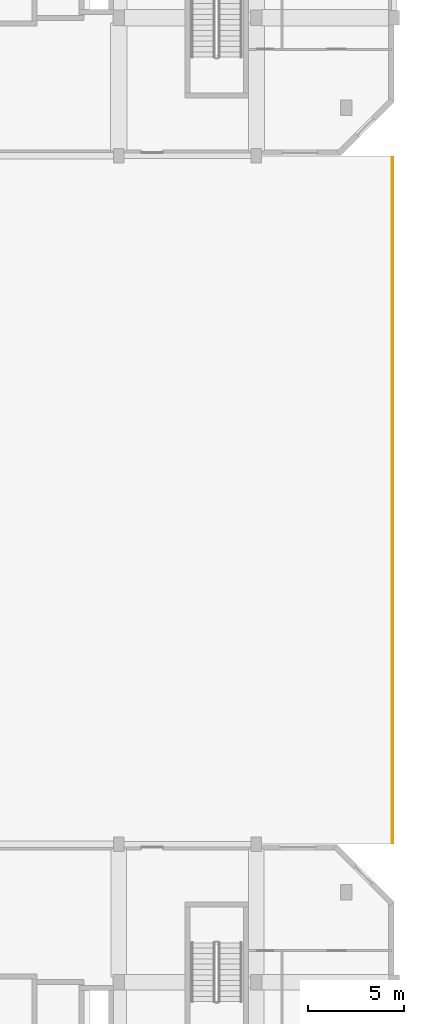
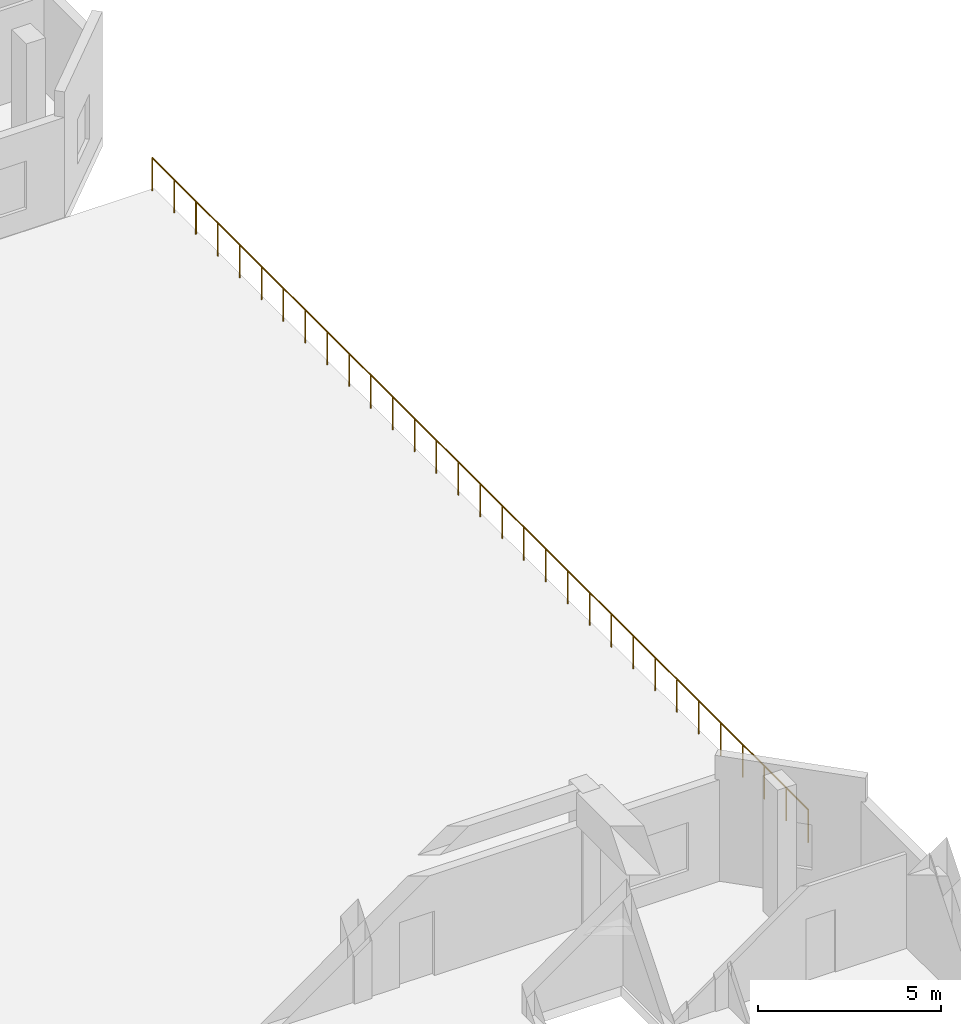
# One storey, part 83 of 85: 1 railing.
"""IFC4 building model written with IfcOpenShell, lengths in metres."""

from ifc_helpers import new_model, si_unit, direction, frame, origin, origin_2d, place, context, subcontext, project, spatial, circle, extrude, material, type_object, element, save


model = new_model("IFC4")

# Units and contexts
model_context = context("Model", 3, precision=1e-05, world=origin(), true_north=direction((0.0, 1.0)))
body_context = subcontext(model_context, "Body", "Model", "MODEL_VIEW")
ifc_project = project(units=[si_unit("LENGTHUNIT", "METRE"), si_unit("AREAUNIT", "SQUARE_METRE"), si_unit("VOLUMEUNIT", "CUBIC_METRE"), si_unit("PLANEANGLEUNIT", "RADIAN"), si_unit("MASSUNIT", "GRAM", prefix="KILO")], contexts=[model_context])

# Site, building, storey
site_placement = place(None, origin())
site = spatial("IfcSite", under=ifc_project, at=site_placement, CompositionType="ELEMENT")
building_placement = place(site_placement, origin())
building = spatial("IfcBuilding", under=site, at=building_placement, Name="Ochrevale Crest", CompositionType="ELEMENT")
storey_placement = place(building_placement, origin())
storey = spatial("IfcBuildingStorey", under=building, at=storey_placement, Name="L00", CompositionType="ELEMENT", Elevation=0.0)

# Railing
ifc_material = material(Name="Galvanised steel", Category="steel")
railing_type = type_object("IfcRailingType", Name="RL-TER-1120", PredefinedType="BALUSTRADE", material=ifc_material)
railing_placement = place(storey_placement, frame((165.5, 36.10009765625, 0.0)))
element("IfcRailing", 1, at=railing_placement, inside=storey, type_object=railing_type, Name="East courtyard plaza east balustrade", PredefinedType="BALUSTRADE", context=body_context, shape_type="SweptSolid", body=[
    extrude(circle(Radius=0.02392578125, at=origin_2d()), frame((0.0, 0.0, 1.09619140625), z_axis=(0.0, 1.0, 0.0), x_axis=(-1.0, 0.0, 0.0)), (0.0, 0.0, 1.0), 35.7998046875),
    extrude(circle(Radius=0.02099609375, at=origin_2d()), origin(), (0.0, 0.0, 1.0), 1.072021484375),
    extrude(circle(Radius=0.02099609375, at=origin_2d()), frame((0.0, 1.193359375, 0.0)), (0.0, 0.0, 1.0), 1.072021484375),
    extrude(circle(Radius=0.02099609375, at=origin_2d()), frame((0.0, 2.38671875, 0.0)), (0.0, 0.0, 1.0), 1.072021484375),
    extrude(circle(Radius=0.02099609375, at=origin_2d()), frame((0.0, 3.580078125, 0.0)), (0.0, 0.0, 1.0), 1.072021484375),
    extrude(circle(Radius=0.02099609375, at=origin_2d()), frame((0.0, 4.773193359375, 0.0)), (0.0, 0.0, 1.0), 1.072021484375),
    extrude(circle(Radius=0.02099609375, at=origin_2d()), frame((0.0, 5.966552734375, 0.0)), (0.0, 0.0, 1.0), 1.072021484375),
    extrude(circle(Radius=0.02099609375, at=origin_2d()), frame((0.0, 7.159912109375, 0.0)), (0.0, 0.0, 1.0), 1.072021484375),
    extrude(circle(Radius=0.02099609375, at=origin_2d()), frame((0.0, 8.353271484375, 0.0)), (0.0, 0.0, 1.0), 1.072021484375),
    extrude(circle(Radius=0.02099609375, at=origin_2d()), frame((0.0, 9.546630859375, 0.0)), (0.0, 0.0, 1.0), 1.072021484375),
    extrude(circle(Radius=0.02099609375, at=origin_2d()), frame((0.0, 10.739990234375, 0.0)), (0.0, 0.0, 1.0), 1.072021484375),
    extrude(circle(Radius=0.02099609375, at=origin_2d()), frame((0.0, 11.933349609375, 0.0)), (0.0, 0.0, 1.0), 1.072021484375),
    extrude(circle(Radius=0.02099609375, at=origin_2d()), frame((0.0, 13.126708984375, 0.0)), (0.0, 0.0, 1.0), 1.072021484375),
    extrude(circle(Radius=0.02099609375, at=origin_2d()), frame((0.0, 14.31982421875, 0.0)), (0.0, 0.0, 1.0), 1.072021484375),
    extrude(circle(Radius=0.02099609375, at=origin_2d()), frame((0.0, 15.51318359375, 0.0)), (0.0, 0.0, 1.0), 1.072021484375),
    extrude(circle(Radius=0.02099609375, at=origin_2d()), frame((0.0, 16.70654296875, 0.0)), (0.0, 0.0, 1.0), 1.072021484375),
    extrude(circle(Radius=0.02099609375, at=origin_2d()), frame((0.0, 17.89990234375, 0.0)), (0.0, 0.0, 1.0), 1.072021484375),
    extrude(circle(Radius=0.02099609375, at=origin_2d()), frame((0.0, 19.09326171875, 0.0)), (0.0, 0.0, 1.0), 1.072021484375),
    extrude(circle(Radius=0.02099609375, at=origin_2d()), frame((0.0, 20.28662109375, 0.0)), (0.0, 0.0, 1.0), 1.072021484375),
    extrude(circle(Radius=0.02099609375, at=origin_2d()), frame((0.0, 21.47998046875, 0.0)), (0.0, 0.0, 1.0), 1.072021484375),
    extrude(circle(Radius=0.02099609375, at=origin_2d()), frame((0.0, 22.673095703125, 0.0)), (0.0, 0.0, 1.0), 1.072021484375),
    extrude(circle(Radius=0.02099609375, at=origin_2d()), frame((0.0, 23.866455078125, 0.0)), (0.0, 0.0, 1.0), 1.072021484375),
    extrude(circle(Radius=0.02099609375, at=origin_2d()), frame((0.0, 25.059814453125, 0.0)), (0.0, 0.0, 1.0), 1.072021484375),
    extrude(circle(Radius=0.02099609375, at=origin_2d()), frame((0.0, 26.253173828125, 0.0)), (0.0, 0.0, 1.0), 1.072021484375),
    extrude(circle(Radius=0.02099609375, at=origin_2d()), frame((0.0, 27.446533203125, 0.0)), (0.0, 0.0, 1.0), 1.072021484375),
    extrude(circle(Radius=0.02099609375, at=origin_2d()), frame((0.0, 28.639892578125, 0.0)), (0.0, 0.0, 1.0), 1.072021484375),
    extrude(circle(Radius=0.02099609375, at=origin_2d()), frame((0.0, 29.833251953125, 0.0)), (0.0, 0.0, 1.0), 1.072021484375),
    extrude(circle(Radius=0.02099609375, at=origin_2d()), frame((0.0, 31.026611328125, 0.0)), (0.0, 0.0, 1.0), 1.072021484375),
    extrude(circle(Radius=0.02099609375, at=origin_2d()), frame((0.0, 32.2197265625, 0.0)), (0.0, 0.0, 1.0), 1.072021484375),
    extrude(circle(Radius=0.02099609375, at=origin_2d()), frame((0.0, 33.4130859375, 0.0)), (0.0, 0.0, 1.0), 1.072021484375),
    extrude(circle(Radius=0.02099609375, at=origin_2d()), frame((0.0, 34.6064453125, 0.0)), (0.0, 0.0, 1.0), 1.072021484375),
    extrude(circle(Radius=0.02099609375, at=origin_2d()), frame((0.0, 35.7998046875, 0.0)), (0.0, 0.0, 1.0), 1.072021484375),
])

save(model, "model.ifc")
